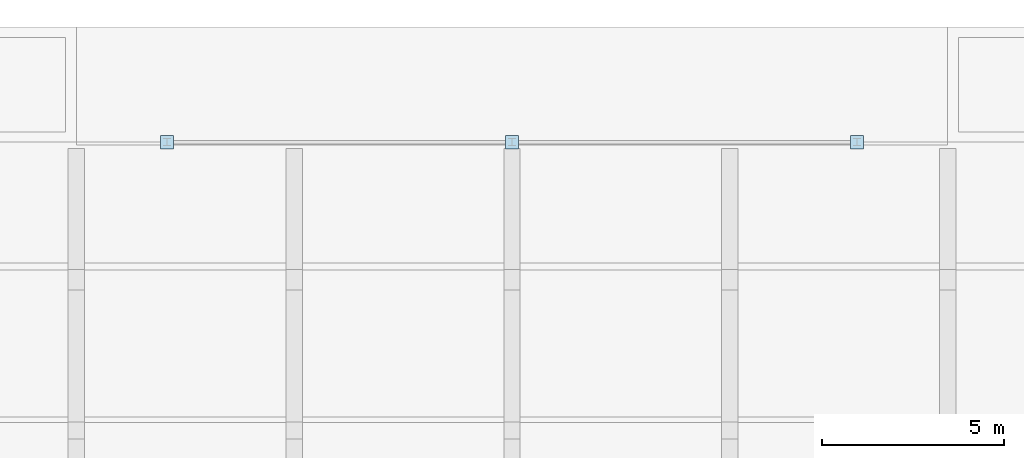
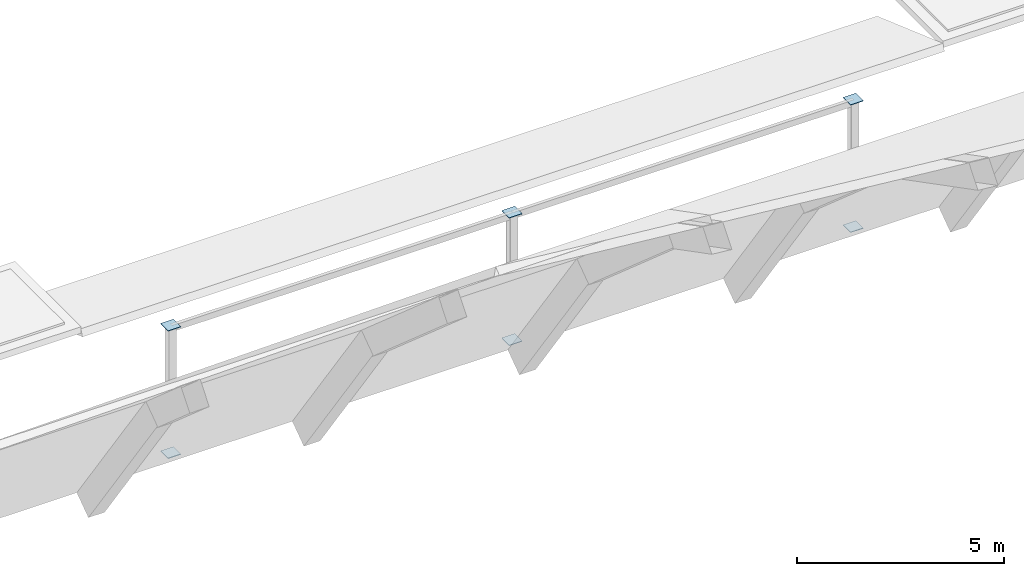
# One storey, part 39 of 42: 6 plates.
"""IFC4 building model written with IfcOpenShell, lengths in metres."""

from ifc_helpers import new_model, si_unit, direction, frame, origin, origin_2d, place, context, subcontext, project, spatial, rectangle, extrude, material, layer, layer_set, type_object, element, save


model = new_model("IFC4")

# Units and contexts
model_context = context("Model", 3, precision=1e-05, world=origin(), true_north=direction((0.0, 1.0)))
body_context = subcontext(model_context, "Body", "Model", "MODEL_VIEW")
ifc_project = project(units=[si_unit("LENGTHUNIT", "METRE"), si_unit("AREAUNIT", "SQUARE_METRE"), si_unit("VOLUMEUNIT", "CUBIC_METRE"), si_unit("PLANEANGLEUNIT", "RADIAN"), si_unit("MASSUNIT", "GRAM", prefix="KILO")], contexts=[model_context])

# Site, building, storey
site_placement = place(None, origin())
site = spatial("IfcSite", under=ifc_project, at=site_placement, CompositionType="ELEMENT")
building_placement = place(site_placement, origin())
building = spatial("IfcBuilding", under=site, at=building_placement, Name="Kelmvaro Bay Concert Hall", CompositionType="ELEMENT")
storey_placement = place(building_placement, frame((0.0, 0.0, 26.699951171875)))
storey = spatial("IfcBuildingStorey", under=building, at=storey_placement, Name="RF", CompositionType="ELEMENT", Elevation=26.699951171875)

# Plates
ifc_material = material(Name="Steel ASTM A572 Grade 50", Category="steel")
ifc_layer = layer(ifc_material, 0.01611328125)
ifc_layer_set = layer_set([ifc_layer], Name="Steel ASTM A572 Grade 50")
plate_type = type_object("IfcPlateType", Name="CHS Post End Closure Plate 360x360x16", PredefinedType="SHEET", material=ifc_layer_set)
for number, where, z_axis, x_axis, name in (
    (1, (20.5, 110.820068359375, -4.531005859375), (0.0, 0.0, 1.0), (1.0, 0.0, 0.0), "STR-V1SH-069 Base Plate"),
    (2, (20.5, 110.820068359375, -0.780029296875), (0.0, 0.0, 1.0), (1.0, 0.0, 0.0), "STR-V1SH-069 Cap Plate"),
    (3, (30.0, 110.820068359375, -4.531005859375), (0.0, 0.0, 1.0), (1.0, 0.0, 0.0), "STR-V1SH-070 Base Plate"),
    (4, (30.0, 110.820068359375, -0.780029296875), (0.0, 0.0, 1.0), (1.0, 0.0, 0.0), "STR-V1SH-070 Cap Plate"),
    (5, (39.5, 110.820068359375, -4.531005859375), (0.0, 0.0, 1.0), (1.0, 0.0, 0.0), "STR-V1SH-071 Base Plate"),
    (6, (39.5, 110.820068359375, -0.780029296875), (0.0, 0.0, 1.0), (1.0, 0.0, 0.0), "STR-V1SH-071 Cap Plate"),
):
    element("IfcPlate", number, at=place(storey_placement, frame(where, z_axis=z_axis, x_axis=x_axis)), inside=storey, type_object=plate_type, Name=name, PredefinedType="SHEET", context=body_context, shape_type="SweptSolid", body=[
        extrude(rectangle(XDim=0.360107421875, YDim=0.360107421875, at=origin_2d()), origin(), (0.0, 0.0, 1.0), 0.01611328125),
    ])

save(model, "model.ifc")
